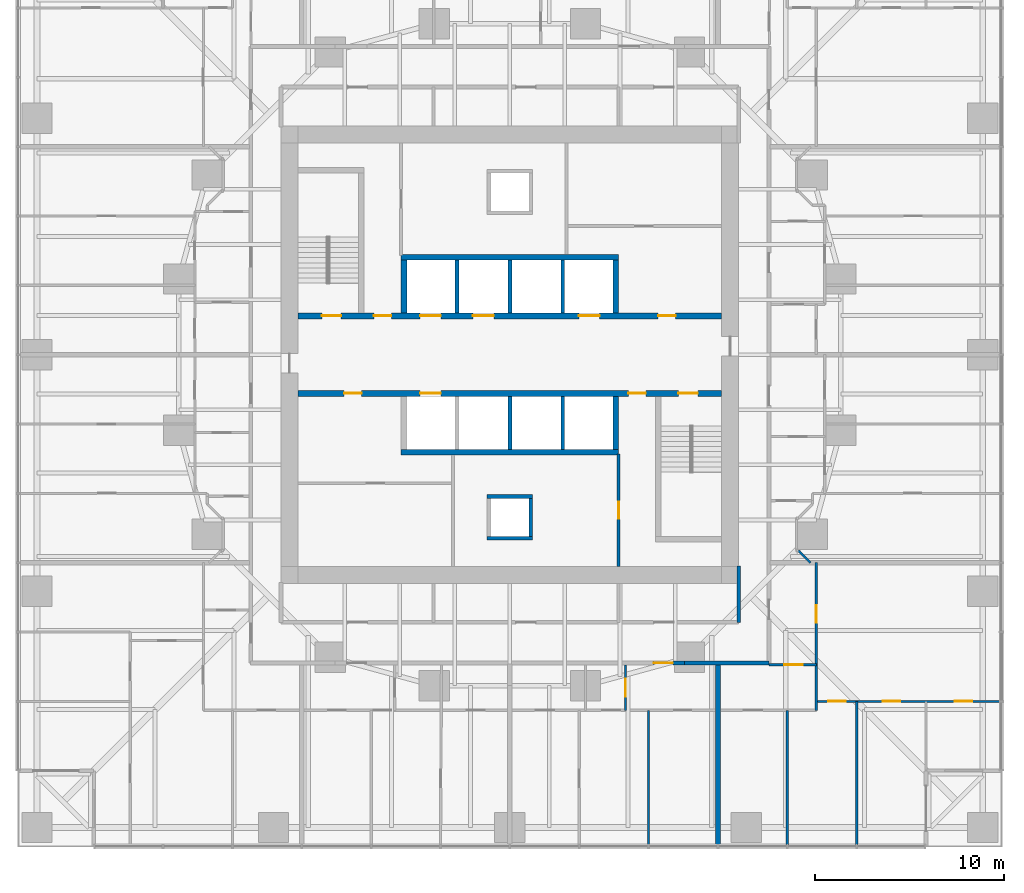
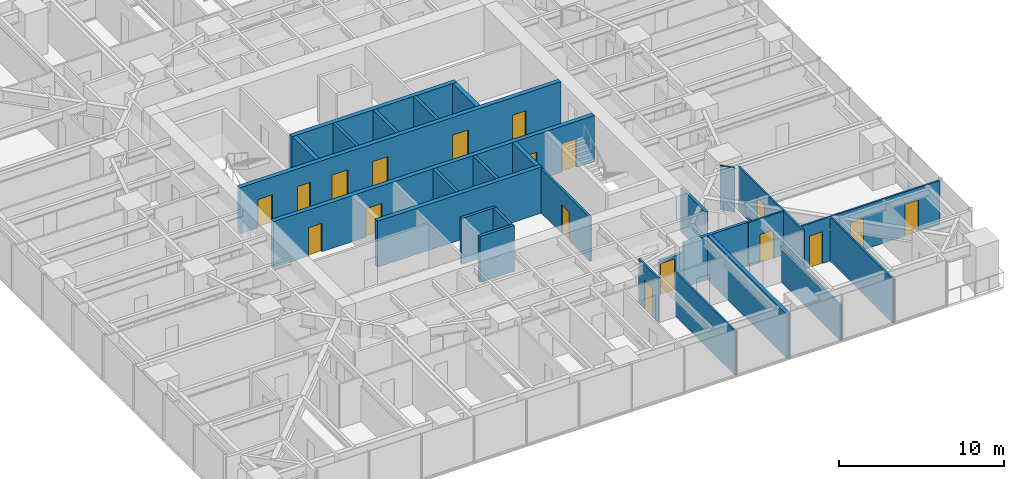
# One storey, part 11 of 18: 28 walls, 18 doors, 18 openings.
"""IFC4 building model written with IfcOpenShell, lengths in metres."""

from ifc_helpers import new_model, si_unit, direction, frame, frame_2d, origin, place, context, subcontext, project, spatial, rectangle, extrude, material, layer, layer_set, type_object, element, fill, save


model = new_model("IFC4")

# Units and contexts
model_context = context("Model", 3, precision=1e-05, world=origin(), true_north=direction((0.0, 1.0)))
body_context = subcontext(model_context, "Body", "Model", "MODEL_VIEW")
ifc_project = project(units=[si_unit("LENGTHUNIT", "METRE"), si_unit("AREAUNIT", "SQUARE_METRE"), si_unit("VOLUMEUNIT", "CUBIC_METRE"), si_unit("PLANEANGLEUNIT", "RADIAN"), si_unit("MASSUNIT", "GRAM", prefix="KILO")], contexts=[model_context])

# Site, building, storey
site_placement = place(None, origin())
site = spatial("IfcSite", under=ifc_project, at=site_placement, CompositionType="ELEMENT")
building_placement = place(site_placement, origin())
building = spatial("IfcBuilding", under=site, at=building_placement, Name="Torsade Residences", CompositionType="ELEMENT")
storey_placement = place(building_placement, frame((0.0, 0.0, 25.199951171875)))
storey = spatial("IfcBuildingStorey", under=building, at=storey_placement, Name="L06", CompositionType="ELEMENT", Elevation=25.199951171875)

# Wall, openings, doors
ifc_material_1 = material(Name="Concrete 80 MPa", Category="concrete")
ifc_layer_1 = layer(ifc_material_1, 0.300048828125)
ifc_layer_set_1 = layer_set([ifc_layer_1], Name="Concrete 80 MPa")
wall_type_1 = type_object("IfcWallType", Name="CORE INTERNAL WALL 300", PredefinedType="SHEAR", material=ifc_layer_set_1)
wall_1_placement = place(storey_placement, frame((28.800048828125, 32.050048828125, 0.0), z_axis=(0.0, 0.0, 1.0), x_axis=(1.0, 0.0, 0.0)))
wall_1 = element("IfcWall", 1, at=wall_1_placement, inside=storey, type_object=wall_type_1, Name="Core wall LN L06", PredefinedType="SHEAR", context=body_context, shape_type="SweptSolid", body=[
    extrude(rectangle(XDim=22.39990234375, YDim=0.300048828125, at=frame_2d((11.199951171875, 0.0))), origin(), (0.0, 0.0, 1.0), 3.400146484375),
])
opening_1_placement = place(wall_1_placement, frame((19.0400390625, 0.0, 0.0)))
opening_1 = element("IfcOpeningElement", 2, at=opening_1_placement, cuts=wall_1, Name="Opening D06", PredefinedType="OPENING", context=body_context, shape_type="SweptSolid", body=[
    extrude(rectangle(XDim=0.919921875, YDim=2.10009765625, at=frame_2d((0.4599609375, 1.050048828125))), frame((0.0, 0.159912109375, 0.0), z_axis=(0.0, -1.0, 0.0), x_axis=(1.0, 0.0, 0.0)), (0.0, 0.0, 1.0), 0.320068359375),
])
opening_2_placement = place(wall_1_placement, frame((1.264892578125, 0.0, 0.0)))
opening_2 = element("IfcOpeningElement", 3, at=opening_2_placement, cuts=wall_1, Name="Opening D03", PredefinedType="OPENING", context=body_context, shape_type="SweptSolid", body=[
    extrude(rectangle(XDim=1.02001953125, YDim=2.10009765625, at=frame_2d((0.510009765625, 1.050048828125))), frame((0.0, 0.159912109375, 0.0), z_axis=(0.0, -1.0, 0.0), x_axis=(1.0, 0.0, 0.0)), (0.0, 0.0, 1.0), 0.320068359375),
])
opening_3_placement = place(wall_1_placement, frame((4.014892578125, 0.0, 0.0)))
opening_3 = element("IfcOpeningElement", 4, at=opening_3_placement, cuts=wall_1, Name="Opening D06", PredefinedType="OPENING", context=body_context, shape_type="SweptSolid", body=[
    extrude(rectangle(XDim=0.919921875, YDim=2.10009765625, at=frame_2d((0.4599609375, 1.050048828125))), frame((0.0, 0.159912109375, 0.0), z_axis=(0.0, -1.0, 0.0), x_axis=(1.0, 0.0, 0.0)), (0.0, 0.0, 1.0), 0.320068359375),
])
opening_4_placement = place(wall_1_placement, frame((6.449951171875, 0.0, 0.0)))
opening_4 = element("IfcOpeningElement", 5, at=opening_4_placement, cuts=wall_1, Name="Opening LD", PredefinedType="OPENING", context=body_context, shape_type="SweptSolid", body=[
    extrude(rectangle(XDim=1.10009765625, YDim=2.10009765625, at=frame_2d((0.550048828125, 1.050048828125))), frame((0.0, 0.159912109375, 0.0), z_axis=(0.0, -1.0, 0.0), x_axis=(1.0, 0.0, 0.0)), (0.0, 0.0, 1.0), 0.320068359375),
])
opening_5_placement = place(wall_1_placement, frame((9.25, 0.0, 0.0)))
opening_5 = element("IfcOpeningElement", 6, at=opening_5_placement, cuts=wall_1, Name="Opening LD", PredefinedType="OPENING", context=body_context, shape_type="SweptSolid", body=[
    extrude(rectangle(XDim=1.10009765625, YDim=2.10009765625, at=frame_2d((0.550048828125, 1.050048828125))), frame((0.0, 0.159912109375, 0.0), z_axis=(0.0, -1.0, 0.0), x_axis=(1.0, 0.0, 0.0)), (0.0, 0.0, 1.0), 0.320068359375),
])
opening_6_placement = place(wall_1_placement, frame((14.85009765625, 0.0, 0.0)))
opening_6 = element("IfcOpeningElement", 7, at=opening_6_placement, cuts=wall_1, Name="Opening LD", PredefinedType="OPENING", context=body_context, shape_type="SweptSolid", body=[
    extrude(rectangle(XDim=1.10009765625, YDim=2.10009765625, at=frame_2d((0.550048828125, 1.050048828125))), frame((0.0, 0.159912109375, 0.0), z_axis=(0.0, -1.0, 0.0), x_axis=(1.0, 0.0, 0.0)), (0.0, 0.0, 1.0), 0.320068359375),
])
ifc_material_2 = material(Name="Steel-framed fire door", Category="steel")
door_type_1 = type_object("IfcDoorType", Name="FIRE DOOR 1020", OperationType="NOTDEFINED", PredefinedType="DOOR", material=ifc_material_2)
door_1_placement = place(opening_2_placement, origin())
door_1 = element("IfcDoor", 8, at=door_1_placement, inside=storey, type_object=door_type_1, Name="Exit door to fire-isolated stair ST1 L06", OperationType="SINGLE_SWING_RIGHT", OverallHeight=2.10009765625, OverallWidth=1.02001953125, PredefinedType="DOOR", context=body_context, shape_type="SweptSolid", body=[
    extrude(rectangle(XDim=1.02001953125, YDim=2.10009765625, at=frame_2d((0.510009765625, 1.050048828125))), frame((0.0, 0.02490234375, 0.0), z_axis=(0.0, -1.0, 0.0), x_axis=(1.0, 0.0, 0.0)), (0.0, 0.0, 1.0), 0.050048828125),
])
fill(opening_2, door_1)
ifc_material_3 = material(Name="Steel-framed fire door", Category="steel")
door_type_2 = type_object("IfcDoorType", Name="FIRE DOOR 920", OperationType="NOTDEFINED", PredefinedType="DOOR", material=ifc_material_3)
door_2_placement = place(opening_1_placement, origin())
door_2 = element("IfcDoor", 9, at=door_2_placement, inside=storey, type_object=door_type_2, Name="Door Lift lobby to Refuse room", OperationType="SINGLE_SWING_LEFT", OverallHeight=2.10009765625, OverallWidth=0.919921875, PredefinedType="DOOR", context=body_context, shape_type="SweptSolid", body=[
    extrude(rectangle(XDim=0.919921875, YDim=2.10009765625, at=frame_2d((0.4599609375, 1.050048828125))), frame((0.0, 0.02490234375, 0.0), z_axis=(0.0, -1.0, 0.0), x_axis=(1.0, 0.0, 0.0)), (0.0, 0.0, 1.0), 0.050048828125),
])
fill(opening_1, door_2)
door_3_placement = place(opening_3_placement, origin())
door_3 = element("IfcDoor", 10, at=door_3_placement, inside=storey, type_object=door_type_2, Name="Door Lift lobby to Main switchboard store", OperationType="SINGLE_SWING_LEFT", OverallHeight=2.10009765625, OverallWidth=0.919921875, PredefinedType="DOOR", context=body_context, shape_type="SweptSolid", body=[
    extrude(rectangle(XDim=0.919921875, YDim=2.10009765625, at=frame_2d((0.4599609375, 1.050048828125))), frame((0.0, 0.02490234375, 0.0), z_axis=(0.0, -1.0, 0.0), x_axis=(1.0, 0.0, 0.0)), (0.0, 0.0, 1.0), 0.050048828125),
])
fill(opening_3, door_3)
ifc_material_4 = material(Name="Stainless steel lift landing door", Category="steel")
door_type_3 = type_object("IfcDoorType", Name="LIFT LANDING DOOR 1100", OperationType="SLIDING_TO_LEFT", PredefinedType="DOOR", material=ifc_material_4)
door_4_placement = place(opening_4_placement, origin())
door_4 = element("IfcDoor", 11, at=door_4_placement, inside=storey, type_object=door_type_3, Name="Lift LA1 landing door L06", OperationType="SLIDING_TO_LEFT", OverallHeight=2.10009765625, OverallWidth=1.10009765625, PredefinedType="DOOR", context=body_context, shape_type="SweptSolid", body=[
    extrude(rectangle(XDim=1.10009765625, YDim=2.10009765625, at=frame_2d((0.550048828125, 1.050048828125))), frame((0.0, 0.02490234375, 0.0), z_axis=(0.0, -1.0, 0.0), x_axis=(1.0, 0.0, 0.0)), (0.0, 0.0, 1.0), 0.050048828125),
])
fill(opening_4, door_4)
door_5_placement = place(opening_5_placement, origin())
door_5 = element("IfcDoor", 12, at=door_5_placement, inside=storey, type_object=door_type_3, Name="Lift LA2 landing door L06", OperationType="SLIDING_TO_LEFT", OverallHeight=2.10009765625, OverallWidth=1.10009765625, PredefinedType="DOOR", context=body_context, shape_type="SweptSolid", body=[
    extrude(rectangle(XDim=1.10009765625, YDim=2.10009765625, at=frame_2d((0.550048828125, 1.050048828125))), frame((0.0, 0.02490234375, 0.0), z_axis=(0.0, -1.0, 0.0), x_axis=(1.0, 0.0, 0.0)), (0.0, 0.0, 1.0), 0.050048828125),
])
fill(opening_5, door_5)
door_6_placement = place(opening_6_placement, origin())
door_6 = element("IfcDoor", 13, at=door_6_placement, inside=storey, type_object=door_type_3, Name="Lift FL1 landing door L06", OperationType="SLIDING_TO_LEFT", OverallHeight=2.10009765625, OverallWidth=1.10009765625, PredefinedType="DOOR", context=body_context, shape_type="SweptSolid", body=[
    extrude(rectangle(XDim=1.10009765625, YDim=2.10009765625, at=frame_2d((0.550048828125, 1.050048828125))), frame((0.0, 0.02490234375, 0.0), z_axis=(0.0, -1.0, 0.0), x_axis=(1.0, 0.0, 0.0)), (0.0, 0.0, 1.0), 0.050048828125),
])
fill(opening_6, door_6)

wall_2_placement = place(storey_placement, frame((51.199951171875, 27.949951171875, 0.0), z_axis=(0.0, 0.0, 1.0), x_axis=(-1.0, 0.0, 0.0)))
wall_2 = element("IfcWall", 14, at=wall_2_placement, inside=storey, type_object=wall_type_1, Name="Core wall LS L06", PredefinedType="SHEAR", context=body_context, shape_type="SweptSolid", body=[
    extrude(rectangle(XDim=22.39990234375, YDim=0.300048828125, at=frame_2d((11.199951171875, 0.0))), origin(), (0.0, 0.0, 1.0), 3.400146484375),
])
opening_7_placement = place(wall_2_placement, frame((19.0400390625, 0.0, 0.0)))
opening_7 = element("IfcOpeningElement", 15, at=opening_7_placement, cuts=wall_2, Name="Opening D06", PredefinedType="OPENING", context=body_context, shape_type="SweptSolid", body=[
    extrude(rectangle(XDim=0.919921875, YDim=2.10009765625, at=frame_2d((0.4599609375, 1.050048828125))), frame((0.0, 0.159912109375, 0.0), z_axis=(0.0, -1.0, 0.0), x_axis=(1.0, 0.0, 0.0)), (0.0, 0.0, 1.0), 0.320068359375),
])
opening_8_placement = place(wall_2_placement, frame((1.264892578125, 0.0, 0.0)))
opening_8 = element("IfcOpeningElement", 16, at=opening_8_placement, cuts=wall_2, Name="Opening D03", PredefinedType="OPENING", context=body_context, shape_type="SweptSolid", body=[
    extrude(rectangle(XDim=1.02001953125, YDim=2.10009765625, at=frame_2d((0.510009765625, 1.050048828125))), frame((0.0, 0.159912109375, 0.0), z_axis=(0.0, -1.0, 0.0), x_axis=(1.0, 0.0, 0.0)), (0.0, 0.0, 1.0), 0.320068359375),
])
opening_9_placement = place(wall_2_placement, frame((4.014892578125, 0.0, 0.0)))
opening_9 = element("IfcOpeningElement", 17, at=opening_9_placement, cuts=wall_2, Name="Opening D06", PredefinedType="OPENING", context=body_context, shape_type="SweptSolid", body=[
    extrude(rectangle(XDim=0.919921875, YDim=2.10009765625, at=frame_2d((0.4599609375, 1.050048828125))), frame((0.0, 0.159912109375, 0.0), z_axis=(0.0, -1.0, 0.0), x_axis=(1.0, 0.0, 0.0)), (0.0, 0.0, 1.0), 0.320068359375),
])
opening_10_placement = place(wall_2_placement, frame((14.85009765625, 0.0, 0.0)))
opening_10 = element("IfcOpeningElement", 18, at=opening_10_placement, cuts=wall_2, Name="Opening LD", PredefinedType="OPENING", context=body_context, shape_type="SweptSolid", body=[
    extrude(rectangle(XDim=1.10009765625, YDim=2.10009765625, at=frame_2d((0.550048828125, 1.050048828125))), frame((0.0, 0.159912109375, 0.0), z_axis=(0.0, -1.0, 0.0), x_axis=(1.0, 0.0, 0.0)), (0.0, 0.0, 1.0), 0.320068359375),
])
door_7_placement = place(opening_8_placement, origin())
door_7 = element("IfcDoor", 19, at=door_7_placement, inside=storey, type_object=door_type_1, Name="Exit door to fire-isolated stair ST2 L06", OperationType="SINGLE_SWING_RIGHT", OverallHeight=2.10009765625, OverallWidth=1.02001953125, PredefinedType="DOOR", context=body_context, shape_type="SweptSolid", body=[
    extrude(rectangle(XDim=1.02001953125, YDim=2.10009765625, at=frame_2d((0.510009765625, 1.050048828125))), frame((0.0, 0.02490234375, 0.0), z_axis=(0.0, -1.0, 0.0), x_axis=(1.0, 0.0, 0.0)), (0.0, 0.0, 1.0), 0.050048828125),
])
fill(opening_8, door_7)
door_8_placement = place(opening_7_placement, origin())
door_8 = element("IfcDoor", 20, at=door_8_placement, inside=storey, type_object=door_type_2, Name="Door Lift lobby to Cleaner store", OperationType="SINGLE_SWING_LEFT", OverallHeight=2.10009765625, OverallWidth=0.919921875, PredefinedType="DOOR", context=body_context, shape_type="SweptSolid", body=[
    extrude(rectangle(XDim=0.919921875, YDim=2.10009765625, at=frame_2d((0.4599609375, 1.050048828125))), frame((0.0, 0.02490234375, 0.0), z_axis=(0.0, -1.0, 0.0), x_axis=(1.0, 0.0, 0.0)), (0.0, 0.0, 1.0), 0.050048828125),
])
fill(opening_7, door_8)
door_9_placement = place(opening_9_placement, origin())
door_9 = element("IfcDoor", 21, at=door_9_placement, inside=storey, type_object=door_type_2, Name="Door Lift lobby to Security and data store", OperationType="SINGLE_SWING_RIGHT", OverallHeight=2.10009765625, OverallWidth=0.919921875, PredefinedType="DOOR", context=body_context, shape_type="SweptSolid", body=[
    extrude(rectangle(XDim=0.919921875, YDim=2.10009765625, at=frame_2d((0.4599609375, 1.050048828125))), frame((0.0, 0.02490234375, 0.0), z_axis=(0.0, -1.0, 0.0), x_axis=(1.0, 0.0, 0.0)), (0.0, 0.0, 1.0), 0.050048828125),
])
fill(opening_9, door_9)
door_10_placement = place(opening_10_placement, origin())
door_10 = element("IfcDoor", 22, at=door_10_placement, inside=storey, type_object=door_type_3, Name="Lift FL2 landing door L06", OperationType="SLIDING_TO_LEFT", OverallHeight=2.10009765625, OverallWidth=1.10009765625, PredefinedType="DOOR", context=body_context, shape_type="SweptSolid", body=[
    extrude(rectangle(XDim=1.10009765625, YDim=2.10009765625, at=frame_2d((0.550048828125, 1.050048828125))), frame((0.0, 0.02490234375, 0.0), z_axis=(0.0, -1.0, 0.0), x_axis=(1.0, 0.0, 0.0)), (0.0, 0.0, 1.0), 0.050048828125),
])
fill(opening_10, door_10)

# Walls
for number, where, z_axis, x_axis, name in (
    (23, (34.25, 35.14990234375, 0.0), (0.0, 0.0, 1.0), (1.0, 0.0, 0.0), "Core wall BN L06"),
    (24, (45.75, 24.85009765625, 0.0), (0.0, 0.0, 1.0), (-1.0, 0.0, 0.0), "Core wall BS L06"),
):
    element("IfcWall", number, at=place(storey_placement, frame(where, z_axis=z_axis, x_axis=x_axis)), inside=storey, type_object=wall_type_1, Name=name, PredefinedType="SHEAR", context=body_context, shape_type="SweptSolid", body=[
        extrude(rectangle(XDim=11.5, YDim=0.300048828125, at=frame_2d((5.75, 0.0))), origin(), (0.0, 0.0, 1.0), 3.400146484375),
    ])
for number, where, z_axis, x_axis, name in (
    (25, (34.39990234375, 32.199951171875, 0.0), (0.0, 0.0, 1.0), (0.0, 1.0, 0.0), "Core wall DN0 L06"),
    (26, (45.60009765625, 27.800048828125, 0.0), (0.0, 0.0, 1.0), (0.0, -1.0, 0.0), "Core wall DS0 L06"),
    (27, (45.60009765625, 32.199951171875, 0.0), (0.0, 0.0, 1.0), (0.0, 1.0, 0.0), "Core wall DN4 L06"),
):
    element("IfcWall", number, at=place(storey_placement, frame(where, z_axis=z_axis, x_axis=x_axis)), inside=storey, type_object=wall_type_1, Name=name, PredefinedType="SHEAR", context=body_context, shape_type="SweptSolid", body=[
        extrude(rectangle(XDim=2.800048828125, YDim=0.300048828125, at=frame_2d((1.39990234375, 0.0))), origin(), (0.0, 0.0, 1.0), 3.400146484375),
    ])

# Wall, opening, door
ifc_material_5 = material(Name="Plasterboard on steel stud", Category="steel")
ifc_layer_2 = layer(ifc_material_5, 0.199951171875)
ifc_layer_set_2 = layer_set([ifc_layer_2], Name="Plasterboard on steel stud")
wall_type_2 = type_object("IfcWallType", Name="CORRIDOR WALL 200", PredefinedType="PARTITIONING", material=ifc_layer_set_2)
wall_3_placement = place(storey_placement, frame((47.558349609375, 13.699951171875, 0.0), z_axis=(0.0, 0.0, 1.0), x_axis=(1.0, 0.0, 0.0)))
wall_3 = element("IfcWall", 28, at=wall_3_placement, inside=storey, type_object=wall_type_2, Name="Corridor wall L06", PredefinedType="PARTITIONING", context=body_context, shape_type="SweptSolid", body=[
    extrude(rectangle(XDim=1.683349609375, YDim=0.199951171875, at=frame_2d((0.841796875, 0.0))), origin(), (0.0, 0.0, 1.0), 2.550048828125),
])
opening_11_placement = place(wall_3_placement, frame((0.03857421875, 0.0, 0.0)))
opening_11 = element("IfcOpeningElement", 29, at=opening_11_placement, cuts=wall_3, Name="Opening D01", PredefinedType="OPENING", context=body_context, shape_type="SweptSolid", body=[
    extrude(rectangle(XDim=1.02001953125, YDim=2.340087890625, at=frame_2d((0.510009765625, 1.169921875))), frame((0.0, 0.10986328125, 0.0), z_axis=(0.0, -1.0, 0.0), x_axis=(1.0, 0.0, 0.0)), (0.0, 0.0, 1.0), 0.219970703125),
])
ifc_material_6 = material(Name="Solid-core timber fire door", Category="wood")
door_type_4 = type_object("IfcDoorType", Name="APARTMENT ENTRY DOOR 1020x2340", OperationType="NOTDEFINED", PredefinedType="DOOR", material=ifc_material_6)
door_11_placement = place(opening_11_placement, origin())
door_11 = element("IfcDoor", 30, at=door_11_placement, inside=storey, type_object=door_type_4, Name="Door Residential corridor to Kitchen and dining", OperationType="SINGLE_SWING_RIGHT", OverallHeight=2.340087890625, OverallWidth=1.02001953125, PredefinedType="DOOR", context=body_context, shape_type="SweptSolid", body=[
    extrude(rectangle(XDim=1.02001953125, YDim=2.340087890625, at=frame_2d((0.510009765625, 1.169921875))), frame((0.0, 0.02490234375, 0.0), z_axis=(0.0, -1.0, 0.0), x_axis=(1.0, 0.0, 0.0)), (0.0, 0.0, 1.0), 0.050048828125),
])
fill(opening_11, door_11)

# Walls
wall_4_placement = place(storey_placement, frame((49.24169921875, 13.699951171875, 0.0), z_axis=(0.0, 0.0, 1.0), x_axis=(1.0, 0.0, 0.0)))
element("IfcWall", 31, at=wall_4_placement, inside=storey, type_object=wall_type_2, Name="Corridor wall L06", PredefinedType="PARTITIONING", context=body_context, shape_type="SweptSolid", body=[
    extrude(rectangle(XDim=4.458251953125, YDim=0.199951171875, at=frame_2d((2.22900390625, 0.0))), origin(), (0.0, 0.0, 1.0), 3.25),
])
wall_5_placement = place(storey_placement, frame((52.10009765625, 15.85009765625, 0.0), z_axis=(0.0, 0.0, 1.0), x_axis=(0.0, 1.0, 0.0)))
element("IfcWall", 32, at=wall_5_placement, inside=storey, type_object=wall_type_2, Name="Corridor wall L06", PredefinedType="PARTITIONING", context=body_context, shape_type="SweptSolid", body=[
    extrude(rectangle(XDim=2.969970703125, YDim=0.199951171875, at=frame_2d((1.48486328125, 0.0))), origin(), (0.0, 0.0, 1.0), 3.25),
])
ifc_material_7 = material(Name="Reinforced blockwork", Category="masonry")
ifc_layer_3 = layer(ifc_material_7, 0.199951171875)
ifc_layer_set_3 = layer_set([ifc_layer_3], Name="Reinforced blockwork")
wall_type_3 = type_object("IfcWallType", Name="LIFT SHAFT DIVIDING WALL 200", PredefinedType="SOLIDWALL", material=ifc_layer_set_3)
for number, where, z_axis, x_axis, name in (
    (33, (37.199951171875, 32.199951171875, 0.0), (0.0, 0.0, 1.0), (0.0, 1.0, 0.0), "Core wall DN1 L06"),
    (34, (42.800048828125, 27.800048828125, 0.0), (0.0, 0.0, 1.0), (0.0, -1.0, 0.0), "Core wall DS1 L06"),
    (35, (40.0, 32.199951171875, 0.0), (0.0, 0.0, 1.0), (0.0, 1.0, 0.0), "Core wall DN2 L06"),
    (36, (40.0, 27.800048828125, 0.0), (0.0, 0.0, 1.0), (0.0, -1.0, 0.0), "Core wall DS2 L06"),
    (37, (42.800048828125, 32.199951171875, 0.0), (0.0, 0.0, 1.0), (0.0, 1.0, 0.0), "Core wall DN3 L06"),
):
    element("IfcWall", number, at=place(storey_placement, frame(where, z_axis=z_axis, x_axis=x_axis)), inside=storey, type_object=wall_type_3, Name=name, PredefinedType="SOLIDWALL", context=body_context, shape_type="SweptSolid", body=[
        extrude(rectangle(XDim=2.800048828125, YDim=0.199951171875, at=frame_2d((1.39990234375, 0.0))), origin(), (0.0, 0.0, 1.0), 3.400146484375),
    ])

# Wall, opening, door
ifc_material_8 = material(Name="Plasterboard on steel stud", Category="steel")
ifc_layer_4 = layer(ifc_material_8, 0.1201171875)
ifc_layer_set_4 = layer_set([ifc_layer_4], Name="Plasterboard on steel stud")
wall_type_4 = type_object("IfcWallType", Name="PARTITION 120", PredefinedType="PARTITIONING", material=ifc_layer_set_4)
wall_6_placement = place(storey_placement, frame((46.11376953125, 11.199951171875, 0.0), z_axis=(0.0, 0.0, 1.0), x_axis=(0.0, 1.0, 0.0)))
wall_6 = element("IfcWall", 38, at=wall_6_placement, inside=storey, type_object=wall_type_4, Name="Partition L06", PredefinedType="PARTITIONING", context=body_context, shape_type="SweptSolid", body=[
    extrude(rectangle(XDim=2.400146484375, YDim=0.1201171875, at=frame_2d((1.2001953125, 0.0))), origin(), (0.0, 0.0, 1.0), 3.25),
])
opening_12_placement = place(wall_6_placement, frame((0.719970703125, 0.0, 0.0)))
opening_12 = element("IfcOpeningElement", 39, at=opening_12_placement, cuts=wall_6, Name="Opening D05", PredefinedType="OPENING", context=body_context, shape_type="SweptSolid", body=[
    extrude(rectangle(XDim=0.9599609375, YDim=2.10009765625, at=frame_2d((0.47998046875, 1.050048828125))), frame((0.0, 0.070068359375, 0.0), z_axis=(0.0, -1.0, 0.0), x_axis=(1.0, 0.0, 0.0)), (0.0, 0.0, 1.0), 0.14013671875),
])
ifc_material_9 = material(Name="Hollow-core timber door in a steel cavity frame", Category="steel")
door_type_5 = type_object("IfcDoorType", Name="BATHROOM CAVITY SLIDING DOOR 960", OperationType="SLIDING_TO_LEFT", PredefinedType="DOOR", material=ifc_material_9)
door_12_placement = place(opening_12_placement, origin())
door_12 = element("IfcDoor", 40, at=door_12_placement, inside=storey, type_object=door_type_5, Name="Door Kitchen and dining to Bathroom", OperationType="SLIDING_TO_LEFT", OverallHeight=2.10009765625, OverallWidth=0.9599609375, PredefinedType="DOOR", context=body_context, shape_type="SweptSolid", body=[
    extrude(rectangle(XDim=0.9599609375, YDim=2.10009765625, at=frame_2d((0.47998046875, 1.050048828125))), frame((0.0, 0.02490234375, 0.0), z_axis=(0.0, -1.0, 0.0), x_axis=(1.0, 0.0, 0.0)), (0.0, 0.0, 1.0), 0.050048828125),
])
fill(opening_12, door_12)

# Wall
wall_7_placement = place(storey_placement, frame((47.333251953125, 4.0400390625, 0.0), z_axis=(0.0, 0.0, 1.0), x_axis=(0.0, 1.0, 0.0)))
element("IfcWall", 41, at=wall_7_placement, inside=storey, type_object=wall_type_4, Name="Partition L06", PredefinedType="PARTITIONING", context=body_context, shape_type="SweptSolid", body=[
    extrude(rectangle(XDim=7.159912109375, YDim=0.1201171875, at=frame_2d((3.580078125, 0.0))), origin(), (0.0, 0.0, 1.0), 3.25),
])

# Wall, opening, door
wall_8_placement = place(storey_placement, frame((56.199951171875, 13.60009765625, 0.0), z_axis=(0.0, 0.0, 1.0), x_axis=(-1.0, 0.0, 0.0)))
wall_8 = element("IfcWall", 42, at=wall_8_placement, inside=storey, type_object=wall_type_4, Name="Partition L06", PredefinedType="PARTITIONING", context=body_context, shape_type="SweptSolid", body=[
    extrude(rectangle(XDim=2.5, YDim=0.1201171875, at=frame_2d((1.25, 0.0))), origin(), (0.0, 0.0, 1.0), 3.25),
])
opening_13_placement = place(wall_8_placement, frame((0.719970703125, 0.0, 0.0)))
opening_13 = element("IfcOpeningElement", 43, at=opening_13_placement, cuts=wall_8, Name="Opening D05", PredefinedType="OPENING", context=body_context, shape_type="SweptSolid", body=[
    extrude(rectangle(XDim=0.9599609375, YDim=2.10009765625, at=frame_2d((0.47998046875, 1.050048828125))), frame((0.0, 0.070068359375, 0.0), z_axis=(0.0, -1.0, 0.0), x_axis=(1.0, 0.0, 0.0)), (0.0, 0.0, 1.0), 0.14013671875),
])
door_13_placement = place(opening_13_placement, origin())
door_13 = element("IfcDoor", 44, at=door_13_placement, inside=storey, type_object=door_type_5, Name="Door Kitchen and dining to Bathroom", OperationType="SLIDING_TO_LEFT", OverallHeight=2.10009765625, OverallWidth=0.9599609375, PredefinedType="DOOR", context=body_context, shape_type="SweptSolid", body=[
    extrude(rectangle(XDim=0.9599609375, YDim=2.10009765625, at=frame_2d((0.47998046875, 1.050048828125))), frame((0.0, 0.02490234375, 0.0), z_axis=(0.0, -1.0, 0.0), x_axis=(1.0, 0.0, 0.0)), (0.0, 0.0, 1.0), 0.050048828125),
])
fill(opening_13, door_13)

wall_9_placement = place(storey_placement, frame((56.199951171875, 19.0, 0.0), z_axis=(0.0, 0.0, 1.0), x_axis=(0.0, -1.0, 0.0)))
wall_9 = element("IfcWall", 45, at=wall_9_placement, inside=storey, type_object=wall_type_4, Name="Partition L06", PredefinedType="PARTITIONING", context=body_context, shape_type="SweptSolid", body=[
    extrude(rectangle(XDim=7.800048828125, YDim=0.1201171875, at=frame_2d((3.89990234375, 0.0))), origin(), (0.0, 0.0, 1.0), 3.25),
])
opening_14_placement = place(wall_9_placement, frame((2.239990234375, 0.0, 0.0)))
opening_14 = element("IfcOpeningElement", 46, at=opening_14_placement, cuts=wall_9, Name="Opening D02", PredefinedType="OPENING", context=body_context, shape_type="SweptSolid", body=[
    extrude(rectangle(XDim=0.919921875, YDim=2.340087890625, at=frame_2d((0.4599609375, 1.169921875))), frame((0.0, 0.070068359375, 0.0), z_axis=(0.0, -1.0, 0.0), x_axis=(1.0, 0.0, 0.0)), (0.0, 0.0, 1.0), 0.14013671875),
])
ifc_material_10 = material(Name="Hollow-core timber door", Category="wood")
door_type_6 = type_object("IfcDoorType", Name="INTERNAL DOOR 920x2340", OperationType="NOTDEFINED", PredefinedType="DOOR", material=ifc_material_10)
door_14_placement = place(opening_14_placement, origin())
door_14 = element("IfcDoor", 47, at=door_14_placement, inside=storey, type_object=door_type_6, Name="Door Kitchen and dining to Living room", OperationType="SINGLE_SWING_LEFT", OverallHeight=2.340087890625, OverallWidth=0.919921875, PredefinedType="DOOR", context=body_context, shape_type="SweptSolid", body=[
    extrude(rectangle(XDim=0.919921875, YDim=2.340087890625, at=frame_2d((0.4599609375, 1.169921875))), frame((0.0, 0.02490234375, 0.0), z_axis=(0.0, -1.0, 0.0), x_axis=(1.0, 0.0, 0.0)), (0.0, 0.0, 1.0), 0.050048828125),
])
fill(opening_14, door_14)

# Wall, openings, doors
wall_10_placement = place(storey_placement, frame((65.9599609375, 11.666748046875, 0.0), z_axis=(0.0, 0.0, 1.0), x_axis=(-1.0, 0.0, 0.0)))
wall_10 = element("IfcWall", 48, at=wall_10_placement, inside=storey, type_object=wall_type_4, Name="Partition L06", PredefinedType="PARTITIONING", context=body_context, shape_type="SweptSolid", body=[
    extrude(rectangle(XDim=9.760009765625, YDim=0.1201171875, at=frame_2d((4.8798828125, 0.0))), origin(), (0.0, 0.0, 1.0), 3.25),
])
opening_15_placement = place(wall_10_placement, frame((1.52490234375, 0.0, 0.0)))
opening_15 = element("IfcOpeningElement", 49, at=opening_15_placement, cuts=wall_10, Name="Opening D02", PredefinedType="OPENING", context=body_context, shape_type="SweptSolid", body=[
    extrude(rectangle(XDim=0.919921875, YDim=2.340087890625, at=frame_2d((0.4599609375, 1.169921875))), frame((0.0, 0.070068359375, 0.0), z_axis=(0.0, -1.0, 0.0), x_axis=(1.0, 0.0, 0.0)), (0.0, 0.0, 1.0), 0.14013671875),
])
opening_16_placement = place(wall_10_placement, frame((5.333251953125, 0.0, 0.0)))
opening_16 = element("IfcOpeningElement", 50, at=opening_16_placement, cuts=wall_10, Name="Opening D02", PredefinedType="OPENING", context=body_context, shape_type="SweptSolid", body=[
    extrude(rectangle(XDim=0.919921875, YDim=2.340087890625, at=frame_2d((0.4599609375, 1.169921875))), frame((0.0, 0.070068359375, 0.0), z_axis=(0.0, -1.0, 0.0), x_axis=(1.0, 0.0, 0.0)), (0.0, 0.0, 1.0), 0.14013671875),
])
opening_17_placement = place(wall_10_placement, frame((8.208251953125, 0.0, 0.0)))
opening_17 = element("IfcOpeningElement", 51, at=opening_17_placement, cuts=wall_10, Name="Opening D02", PredefinedType="OPENING", context=body_context, shape_type="SweptSolid", body=[
    extrude(rectangle(XDim=0.919921875, YDim=2.340087890625, at=frame_2d((0.4599609375, 1.169921875))), frame((0.0, 0.070068359375, 0.0), z_axis=(0.0, -1.0, 0.0), x_axis=(1.0, 0.0, 0.0)), (0.0, 0.0, 1.0), 0.14013671875),
])
door_15_placement = place(opening_15_placement, origin())
door_15 = element("IfcDoor", 52, at=door_15_placement, inside=storey, type_object=door_type_6, Name="Door Living room to Family room", OperationType="SINGLE_SWING_RIGHT", OverallHeight=2.340087890625, OverallWidth=0.919921875, PredefinedType="DOOR", context=body_context, shape_type="SweptSolid", body=[
    extrude(rectangle(XDim=0.919921875, YDim=2.340087890625, at=frame_2d((0.4599609375, 1.169921875))), frame((0.0, 0.02490234375, 0.0), z_axis=(0.0, -1.0, 0.0), x_axis=(1.0, 0.0, 0.0)), (0.0, 0.0, 1.0), 0.050048828125),
])
fill(opening_15, door_15)
door_16_placement = place(opening_16_placement, origin())
door_16 = element("IfcDoor", 53, at=door_16_placement, inside=storey, type_object=door_type_6, Name="Door Living room to Bedroom 1", OperationType="SINGLE_SWING_RIGHT", OverallHeight=2.340087890625, OverallWidth=0.919921875, PredefinedType="DOOR", context=body_context, shape_type="SweptSolid", body=[
    extrude(rectangle(XDim=0.919921875, YDim=2.340087890625, at=frame_2d((0.4599609375, 1.169921875))), frame((0.0, 0.02490234375, 0.0), z_axis=(0.0, -1.0, 0.0), x_axis=(1.0, 0.0, 0.0)), (0.0, 0.0, 1.0), 0.050048828125),
])
fill(opening_16, door_16)
door_17_placement = place(opening_17_placement, origin())
door_17 = element("IfcDoor", 54, at=door_17_placement, inside=storey, type_object=door_type_6, Name="Door Living room to Bedroom 2", OperationType="SINGLE_SWING_LEFT", OverallHeight=2.340087890625, OverallWidth=0.919921875, PredefinedType="DOOR", context=body_context, shape_type="SweptSolid", body=[
    extrude(rectangle(XDim=0.919921875, YDim=2.340087890625, at=frame_2d((0.4599609375, 1.169921875))), frame((0.0, 0.02490234375, 0.0), z_axis=(0.0, -1.0, 0.0), x_axis=(1.0, 0.0, 0.0)), (0.0, 0.0, 1.0), 0.050048828125),
])
fill(opening_17, door_17)

# Walls
wall_11_placement = place(storey_placement, frame((58.333251953125, 4.0400390625, 0.0), z_axis=(0.0, 0.0, 1.0), x_axis=(0.0, 1.0, 0.0)))
element("IfcWall", 55, at=wall_11_placement, inside=storey, type_object=wall_type_4, Name="Partition L06", PredefinedType="PARTITIONING", context=body_context, shape_type="SweptSolid", body=[
    extrude(rectangle(XDim=7.626708984375, YDim=0.1201171875, at=frame_2d((3.8134765625, 0.0))), origin(), (0.0, 0.0, 1.0), 3.25),
])
wall_12_placement = place(storey_placement, frame((54.666748046875, 4.0400390625, 0.0), z_axis=(0.0, 0.0, 1.0), x_axis=(0.0, 1.0, 0.0)))
element("IfcWall", 56, at=wall_12_placement, inside=storey, type_object=wall_type_4, Name="Partition L06", PredefinedType="PARTITIONING", context=body_context, shape_type="SweptSolid", body=[
    extrude(rectangle(XDim=7.159912109375, YDim=0.1201171875, at=frame_2d((3.580078125, 0.0))), origin(), (0.0, 0.0, 1.0), 2.636962890625),
])
wall_13_placement = place(storey_placement, frame((55.25, 19.64990234375, 0.0), z_axis=(0.0, 0.0, 1.0), x_axis=(0.707106781187, -0.707106781187, 0.0)))
element("IfcWall", 57, at=wall_13_placement, inside=storey, type_object=wall_type_4, Name="Partition L06", PredefinedType="PARTITIONING", context=body_context, shape_type="SweptSolid", body=[
    extrude(rectangle(XDim=0.919189453125, YDim=0.1201171875, at=frame_2d((0.45947265625, 0.0))), origin(), (0.0, 0.0, 1.0), 3.25),
])
ifc_material_11 = material(Name="Masonry-lined stud party wall", Category="masonry")
ifc_layer_5 = layer(ifc_material_11, 0.25)
ifc_layer_set_5 = layer_set([ifc_layer_5], Name="Masonry-lined stud party wall")
wall_type_5 = type_object("IfcWallType", Name="PARTY WALL 250", PredefinedType="PARTITIONING", material=ifc_layer_set_5)
wall_14_placement = place(storey_placement, frame((51.0, 4.0, 0.0), z_axis=(0.0, 0.0, 1.0), x_axis=(0.0, 1.0, 0.0)))
element("IfcWall", 58, at=wall_14_placement, inside=storey, type_object=wall_type_5, Name="Party wall L06", PredefinedType="PARTITIONING", context=body_context, shape_type="SweptSolid", body=[
    extrude(rectangle(XDim=9.639892578125, YDim=0.25, at=frame_2d((4.81982421875, 0.0))), origin(), (0.0, 0.0, 1.0), 3.25),
])
ifc_material_12 = material(Name="Reinforced blockwork", Category="masonry")
ifc_layer_6 = layer(ifc_material_12, 0.199951171875)
ifc_layer_set_6 = layer_set([ifc_layer_6], Name="Reinforced blockwork")
wall_type_6 = type_object("IfcWallType", Name="RISER SHAFT WALL 200", PredefinedType="SOLIDWALL", material=ifc_layer_set_6)
wall_15_placement = place(storey_placement, frame((41.10009765625, 22.39990234375, 0.0), z_axis=(0.0, 0.0, 1.0), x_axis=(0.0, -1.0, 0.0)))
element("IfcWall", 59, at=wall_15_placement, inside=storey, type_object=wall_type_6, Name="Core wall RS2b L06", PredefinedType="SOLIDWALL", context=body_context, shape_type="SweptSolid", body=[
    extrude(rectangle(XDim=2.0, YDim=0.199951171875, at=frame_2d((1.0, 0.0))), origin(), (0.0, 0.0, 1.0), 3.400146484375),
])
for number, where, z_axis, x_axis, name in (
    (60, (38.800048828125, 22.5, 0.0), (0.0, 0.0, 1.0), (1.0, 0.0, 0.0), "Core wall RS2c L06"),
    (61, (38.800048828125, 20.300048828125, 0.0), (0.0, 0.0, 1.0), (1.0, 0.0, 0.0), "Core wall RS2d L06"),
):
    element("IfcWall", number, at=place(storey_placement, frame(where, z_axis=z_axis, x_axis=x_axis)), inside=storey, type_object=wall_type_6, Name=name, PredefinedType="SOLIDWALL", context=body_context, shape_type="SweptSolid", body=[
        extrude(rectangle(XDim=2.39990234375, YDim=0.199951171875, at=frame_2d((1.199951171875, 0.0))), origin(), (0.0, 0.0, 1.0), 3.400146484375),
    ])

# Wall, opening, door
ifc_material_13 = material(Name="Reinforced blockwork", Category="masonry")
ifc_layer_7 = layer(ifc_material_13, 0.14990234375)
ifc_layer_set_7 = layer_set([ifc_layer_7], Name="Reinforced blockwork")
wall_type_7 = type_object("IfcWallType", Name="SERVICE ROOM WALL 150", PredefinedType="SOLIDWALL", material=ifc_layer_set_7)
wall_16_placement = place(storey_placement, frame((45.75, 18.800048828125, 0.0), z_axis=(0.0, 0.0, 1.0), x_axis=(0.0, 1.0, 0.0)))
wall_16 = element("IfcWall", 62, at=wall_16_placement, inside=storey, type_object=wall_type_7, Name="Service room wall L06", PredefinedType="SOLIDWALL", context=body_context, shape_type="SweptSolid", body=[
    extrude(rectangle(XDim=5.949951171875, YDim=0.14990234375, at=frame_2d((2.97509765625, 0.0))), origin(), (0.0, 0.0, 1.0), 3.25),
])
opening_18_placement = place(wall_16_placement, frame((2.514892578125, 0.0, 0.0)))
opening_18 = element("IfcOpeningElement", 63, at=opening_18_placement, cuts=wall_16, Name="Opening D06", PredefinedType="OPENING", context=body_context, shape_type="SweptSolid", body=[
    extrude(rectangle(XDim=0.919921875, YDim=2.10009765625, at=frame_2d((0.4599609375, 1.050048828125))), frame((0.0, 0.0849609375, 0.0), z_axis=(0.0, -1.0, 0.0), x_axis=(1.0, 0.0, 0.0)), (0.0, 0.0, 1.0), 0.169921875),
])
door_18_placement = place(opening_18_placement, origin())
door_18 = element("IfcDoor", 64, at=door_18_placement, inside=storey, type_object=door_type_2, Name="Door Security and data store to Communications riser room", OperationType="SINGLE_SWING_LEFT", OverallHeight=2.10009765625, OverallWidth=0.919921875, PredefinedType="DOOR", context=body_context, shape_type="SweptSolid", body=[
    extrude(rectangle(XDim=0.919921875, YDim=2.10009765625, at=frame_2d((0.4599609375, 1.050048828125))), frame((0.0, 0.02490234375, 0.0), z_axis=(0.0, -1.0, 0.0), x_axis=(1.0, 0.0, 0.0)), (0.0, 0.0, 1.0), 0.050048828125),
])
fill(opening_18, door_18)

save(model, "model.ifc")
